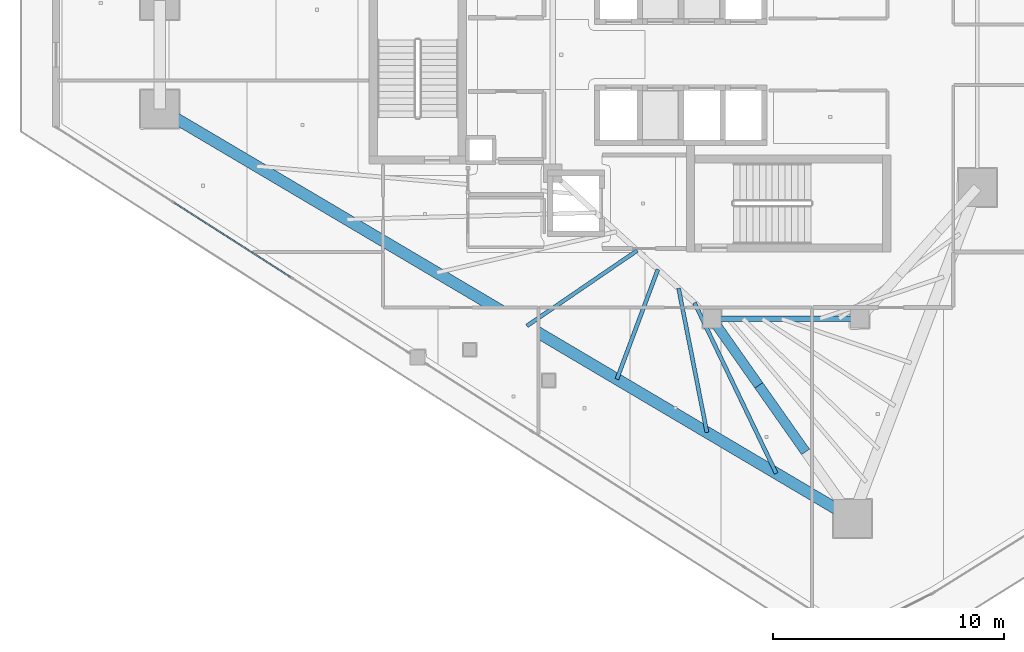
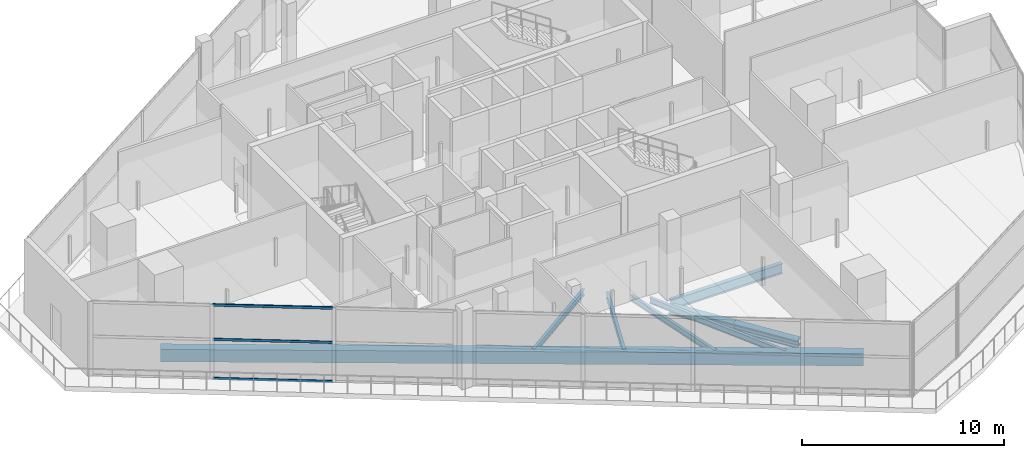
# One storey, part 4 of 36: 6 beams, 5 members, 1 element without a shape of its own.
"""IFC4 building model written with IfcOpenShell, lengths in metres."""

import ifcopenshell
import ifcopenshell.guid

model = None  # the IFC model being written
_history = None  # IfcOwnerHistory: only IFC2X3 demands one
_inside = {}  # id of a spatial element -> (the spatial element, [elements in it])
_under = {}  # id of a project, library or spatial element -> (it, [spatial elements below it])
_declared = {}  # id of a project -> (the project, [libraries it declares])
_typed = {}  # id of a type object -> (the type object, [elements of that type])
_made_of = {}  # id of a material, layer set ... -> (it, [elements and type objects made of it])


def new_model(schema):
    """Start an empty IFC model of exactly this schema.

    Asked for "IFC4X3", IfcOpenShell would pick the latest addendum, in which some entities
    have other attributes; the version numbers below select the first issue.
    IFC2X3 requires an IfcOwnerHistory on every rooted entity: one is made here for all.
    """
    global model, _history
    if schema == "IFC4X3":
        model = ifcopenshell.file(schema_version=(4, 3, 0, 0))
    else:
        model = ifcopenshell.file(schema=schema)
    _inside.clear()
    _under.clear()
    _declared.clear()
    _typed.clear()
    _made_of.clear()
    _history = None
    if model.schema == "IFC2X3":
        org = make("IfcOrganization", Name="unknown")
        user = make(
            "IfcPersonAndOrganization",
            ThePerson=make("IfcPerson", FamilyName="unknown"),
            TheOrganization=org,
        )
        app = make(
            "IfcApplication",
            ApplicationDeveloper=org,
            Version="unknown",
            ApplicationFullName="unknown",
            ApplicationIdentifier="unknown",
        )
        _history = make(
            "IfcOwnerHistory",
            OwningUser=user,
            OwningApplication=app,
            ChangeAction="ADDED",
            CreationDate=0,
        )
    return model


def make(cls, **values):
    """One entity of the class cls with the attributes given. An attribute that is None is left unset."""
    return model.create_entity(
        cls, **{name: value for name, value in values.items() if value is not None}
    )


def rooted(cls, **values):
    """An entity with a GlobalId (a new one), such as an element, a storey or a relation."""
    return make(cls, GlobalId=ifcopenshell.guid.new(), OwnerHistory=_history, **values)


def si_unit(unit_type, name, prefix=None):
    """IfcSIUnit, for example si_unit("LENGTHUNIT", "METRE", prefix="MILLI")."""
    return make("IfcSIUnit", UnitType=unit_type, Prefix=prefix, Name=name)


def assignment(units):
    """IfcUnitAssignment: the units of a project."""
    return None if units is None else make("IfcUnitAssignment", Units=units)


def point(xyz):
    """IfcCartesianPoint."""
    return None if xyz is None else make("IfcCartesianPoint", Coordinates=xyz)


def direction(xyz):
    """IfcDirection."""
    return None if xyz is None else make("IfcDirection", DirectionRatios=xyz)


def frame(location, z_axis=None, x_axis=None):
    """IfcAxis2Placement3D, a coordinate frame: its origin and axes. An axis left out is left unset."""
    return make(
        "IfcAxis2Placement3D",
        Location=point(location),
        Axis=direction(z_axis),
        RefDirection=direction(x_axis),
    )


def frame_2d(location, x_axis=None):
    """IfcAxis2Placement2D, a coordinate frame in the plane: its origin and x axis."""
    return make(
        "IfcAxis2Placement2D", Location=point(location), RefDirection=direction(x_axis)
    )


def origin():
    """The frame at (0, 0, 0) with its axes left unset."""
    return frame((0.0, 0.0, 0.0))


def origin_2d():
    """The frame at (0, 0) in the plane with its x axis left unset."""
    return frame_2d((0.0, 0.0))


def place(relative_to, where):
    """IfcLocalPlacement: puts the frame where relative to a parent placement (None: the world)."""
    return make(
        "IfcLocalPlacement", PlacementRelTo=relative_to, RelativePlacement=where
    )


def context(
    kind, dimensions, precision=None, world=None, true_north=None, identifier=None
):
    """IfcGeometricRepresentationContext, for example the 3D "Model" context."""
    return make(
        "IfcGeometricRepresentationContext",
        ContextIdentifier=identifier,
        ContextType=kind,
        CoordinateSpaceDimension=dimensions,
        Precision=precision,
        WorldCoordinateSystem=world,
        TrueNorth=true_north,
    )


def subcontext(parent, identifier, kind, view, scale=None):
    """IfcGeometricRepresentationSubContext, for example "Body" below "Model"."""
    return make(
        "IfcGeometricRepresentationSubContext",
        ContextIdentifier=identifier,
        ContextType=kind,
        ParentContext=parent,
        TargetScale=scale,
        TargetView=view,
    )


def project(units=None, contexts=None):
    """IfcProject with its units and contexts."""
    return rooted(
        "IfcProject",
        Name="project",
        RepresentationContexts=contexts,
        UnitsInContext=assignment(units),
    )


def spatial(cls, under=None, at=None, **own):
    """A site, building, storey or space (cls), placed at a placement, below another one or the project."""
    s = rooted(cls, ObjectPlacement=at, **own)
    if under is not None:
        _under.setdefault(under.id(), (under, []))[1].append(s)
    return s


def profile(cls, at=None, kind="AREA", **sizes):
    """A parametric profile (cls). Its sizes go by their IFC names, for example OverallWidth=200.0."""
    return make(cls, ProfileType=kind, Position=at, **sizes)


def rectangle(**sizes):
    """IfcRectangleProfileDef."""
    return profile("IfcRectangleProfileDef", **sizes)


def hollow_rectangle(**sizes):
    """IfcRectangleHollowProfileDef."""
    return profile("IfcRectangleHollowProfileDef", **sizes)


def i_section(**sizes):
    """IfcIShapeProfileDef."""
    return profile("IfcIShapeProfileDef", **sizes)


def extrude(swept, where, along, depth):
    """IfcExtrudedAreaSolid: the profile swept, set in the frame where, extruded along a direction by depth."""
    return make(
        "IfcExtrudedAreaSolid",
        SweptArea=swept,
        Position=where,
        ExtrudedDirection=direction(along),
        Depth=depth,
    )


def shape(context_of_items, identifier, shape_type, items):
    """IfcShapeRepresentation: the items that make up one representation, for example the "Body"."""
    return make(
        "IfcShapeRepresentation",
        ContextOfItems=context_of_items,
        RepresentationIdentifier=identifier,
        RepresentationType=shape_type,
        Items=items,
    )


def material(Name=None, Category=None):
    """IfcMaterial."""
    return make("IfcMaterial", Name=Name, Category=Category)


def layer(
    of_material, thickness, ventilated=None, Name=None, Category=None, Priority=None
):
    """IfcMaterialLayer: one layer of a wall or slab, of a material (None: an air gap)."""
    return make(
        "IfcMaterialLayer",
        Material=of_material,
        LayerThickness=thickness,
        IsVentilated=ventilated,
        Name=Name,
        Category=Category,
        Priority=Priority,
    )


def layer_set(layers, Name=None):
    """IfcMaterialLayerSet."""
    return make("IfcMaterialLayerSet", MaterialLayers=layers, LayerSetName=Name)


def material_profile(
    of_material, cross_section, Name=None, Category=None, Priority=None
):
    """IfcMaterialProfile: a cross section and its material."""
    return make(
        "IfcMaterialProfile",
        Name=Name,
        Material=of_material,
        Profile=cross_section,
        Priority=Priority,
        Category=Category,
    )


def profile_set(profiles, Name=None, composite=None):
    """IfcMaterialProfileSet."""
    return make(
        "IfcMaterialProfileSet",
        Name=Name,
        MaterialProfiles=profiles,
        CompositeProfile=composite,
    )


def made_of(thing, what):
    """Note that an element or type object is made of a material, layer set ...; save() writes the relation."""
    if what is not None:
        _made_of.setdefault(what.id(), (what, []))[1].append(thing)
    return thing


def type_object(cls, material=None, **own):
    """A type object (cls), such as IfcWallType, which elements share."""
    return made_of(rooted(cls, **own), material)


def element(
    cls,
    number,
    at=None,
    inside=None,
    cuts=None,
    type_object=None,
    material=None,
    context=None,
    identifier="Body",
    shape_type=None,
    held_by="IfcProductDefinitionShape",
    body=None,
    shapes=None,
    **own,
):
    """One element of the class cls, such as IfcWall. Its Tag is "e" and its number.

    at: its placement. inside: the storey or other place that contains it. cuts: it is an
    opening in that element (IfcRelVoidsElement). A single representation is given by context,
    identifier, shape_type and body (its items); several are given by shapes. held_by: the class
    of the entity that holds the representations. save() writes the other relations.
    """
    e = rooted(cls, Tag="e%d" % number, ObjectPlacement=at, **own)
    if body is not None:
        shapes = [shape(context, identifier, shape_type, body)]
    if shapes is not None:
        e.Representation = make(held_by, Representations=shapes)
    if inside is not None:
        _inside.setdefault(inside.id(), (inside, []))[1].append(e)
    if cuts is not None:
        rooted(
            "IfcRelVoidsElement", RelatingBuildingElement=cuts, RelatedOpeningElement=e
        )
    if type_object is not None:
        _typed.setdefault(type_object.id(), (type_object, []))[1].append(e)
    return made_of(e, material)


def aggregate(whole, parts):
    """IfcRelAggregates: a whole, such as a stair, and the parts it consists of."""
    return rooted("IfcRelAggregates", RelatingObject=whole, RelatedObjects=parts)


def save(model, path):
    """Write the relations noted so far, then the file.

    IfcRelAggregates (storeys below a building ...), IfcRelContainedInSpatialStructure (elements
    in a storey), IfcRelDefinesByType, IfcRelAssociatesMaterial and IfcRelDeclares: one each for
    every whole, place, type object, material and project.
    """
    for whole, parts in _under.values():
        aggregate(whole, parts)
    for where, things in _inside.values():
        rooted(
            "IfcRelContainedInSpatialStructure",
            RelatedElements=things,
            RelatingStructure=where,
        )
    for kind, things in _typed.values():
        rooted("IfcRelDefinesByType", RelatedObjects=things, RelatingType=kind)
    for what, things in _made_of.values():
        rooted("IfcRelAssociatesMaterial", RelatedObjects=things, RelatingMaterial=what)
    for by, libraries in _declared.values():
        rooted("IfcRelDeclares", RelatingContext=by, RelatedDefinitions=libraries)
    model.write(path)


model = new_model("IFC4")

# Units and contexts
model_context = context("Model", 3, precision=1e-05, world=origin(), true_north=direction((0.0, 1.0)))
body_context = subcontext(model_context, "Body", "Model", "MODEL_VIEW")
ifc_project = project(units=[si_unit("LENGTHUNIT", "METRE"), si_unit("AREAUNIT", "SQUARE_METRE"), si_unit("VOLUMEUNIT", "CUBIC_METRE"), si_unit("PLANEANGLEUNIT", "RADIAN"), si_unit("MASSUNIT", "GRAM", prefix="KILO")], contexts=[model_context])

# Site, building, storey
site_placement = place(None, origin())
site = spatial("IfcSite", under=ifc_project, at=site_placement, CompositionType="ELEMENT")
building_placement = place(site_placement, origin())
building = spatial("IfcBuilding", under=site, at=building_placement, Name="Qorvath Tower", CompositionType="ELEMENT")
storey_placement = place(building_placement, frame((0.0, 0.0, 255.0)))
storey = spatial("IfcBuildingStorey", under=building, at=storey_placement, Name="L59", CompositionType="ELEMENT", Elevation=255.0)

# Beams
ifc_material_1 = material(Name="Steel ASTM A992 Grade 50", Category="steel")
ifc_material_profile_1 = material_profile(ifc_material_1, i_section(OverallWidth=0.22998046875, OverallDepth=0.616943359375, WebThickness=0.01318359375, FlangeThickness=0.022216796875, FilletRadius=0.014892578125, at=origin_2d()), Name="W24x94")
ifc_profile_set_1 = profile_set([ifc_material_profile_1], Name="Steel ASTM A992 Grade 50")
beam_type_1 = type_object("IfcBeamType", Name="BM-FG6", PredefinedType="BEAM", material=ifc_profile_set_1)
beam_1_placement = place(storey_placement, frame((-17.199951171875, -11.449951171875, -0.6083984375), z_axis=(-1.0, 0.0, 0.0), x_axis=(0.0, -1.0, 0.0)))
element("IfcBeam", 1, at=beam_1_placement, inside=storey, type_object=beam_type_1, Name="Core Ring Girder CC3-CC4 L59", PredefinedType="BEAM", context=body_context, shape_type="SweptSolid", body=[
    extrude(i_section(OverallWidth=0.22998046875, OverallDepth=0.616943359375, WebThickness=0.01318359375, FlangeThickness=0.022216796875, FilletRadius=0.014892578125, at=origin_2d()), origin(), (0.0, 0.0, 1.0), 6.400146484375),
])
ifc_material_2 = material(Name="Steel ASTM A992 Grade 50", Category="steel")
ifc_material_profile_2 = material_profile(ifc_material_2, i_section(OverallWidth=0.1708984375, OverallDepth=0.35107421875, WebThickness=0.0068359375, FlangeThickness=0.009765625, FilletRadius=0.010009765625, at=origin_2d()), Name="W14x30")
ifc_profile_set_2 = profile_set([ifc_material_profile_2], Name="Steel ASTM A992 Grade 50")
beam_type_2 = type_object("IfcBeamType", Name="BM-FJ4", PredefinedType="JOIST", material=ifc_profile_set_2)
beam_2_placement = place(storey_placement, frame((-26.843017578125, -8.489013671875, -0.4755859375), z_axis=(-0.82557592702, -0.564291049658, 0.0), x_axis=(0.564291049658, -0.82557592702, 0.0)))
element("IfcBeam", 2, at=beam_2_placement, inside=storey, type_object=beam_type_2, Name="Composite Floor Joist SW4 L59", PredefinedType="JOIST", context=body_context, shape_type="SweptSolid", body=[
    extrude(i_section(OverallWidth=0.1708984375, OverallDepth=0.35107421875, WebThickness=0.0068359375, FlangeThickness=0.009765625, FilletRadius=0.010009765625, at=origin_2d()), origin(), (0.0, 0.0, 1.0), 5.793212890625),
])
beam_3_placement = place(storey_placement, frame((-25.946044921875, -9.30810546875, -0.4755859375), z_axis=(-0.349858795354, -0.936802446257, 0.0), x_axis=(0.936802446257, -0.349858795354, 0.0)))
element("IfcBeam", 3, at=beam_3_placement, inside=storey, type_object=beam_type_2, Name="Composite Floor Joist SW5 L59", PredefinedType="JOIST", context=body_context, shape_type="SweptSolid", body=[
    extrude(i_section(OverallWidth=0.1708984375, OverallDepth=0.35107421875, WebThickness=0.0068359375, FlangeThickness=0.009765625, FilletRadius=0.010009765625, at=origin_2d()), origin(), (0.0, 0.0, 1.0), 5.078857421875),
])
beam_4_placement = place(storey_placement, frame((-25.049072265625, -10.126953125, -0.4755859375), z_axis=(0.193040016911, -0.981190884523, 0.0), x_axis=(0.981190884523, 0.193040016911, 0.0)))
element("IfcBeam", 4, at=beam_4_placement, inside=storey, type_object=beam_type_2, Name="Composite Floor Joist SW6 L59", PredefinedType="JOIST", context=body_context, shape_type="SweptSolid", body=[
    extrude(i_section(OverallWidth=0.1708984375, OverallDepth=0.35107421875, WebThickness=0.0068359375, FlangeThickness=0.009765625, FilletRadius=0.010009765625, at=origin_2d()), origin(), (0.0, 0.0, 1.0), 6.366455078125),
])
beam_5_placement = place(storey_placement, frame((-24.35888671875, -10.757080078125, -0.4755859375), z_axis=(0.432029839602, -0.901859311475, 0.0), x_axis=(0.901859311475, 0.432029839602, 0.0)))
element("IfcBeam", 5, at=beam_5_placement, inside=storey, type_object=beam_type_2, Name="Composite Floor Joist SW7 L59", PredefinedType="JOIST", context=body_context, shape_type="SweptSolid", body=[
    extrude(i_section(OverallWidth=0.1708984375, OverallDepth=0.35107421875, WebThickness=0.0068359375, FlangeThickness=0.009765625, FilletRadius=0.010009765625, at=origin_2d()), origin(), (0.0, 0.0, 1.0), 8.1962890625),
])
ifc_material_3 = material(Name="Concrete C45/55", Category="concrete")
ifc_material_profile_3 = material_profile(ifc_material_3, rectangle(XDim=0.5, YDim=0.75, at=origin_2d()), Name="RCB 750x500")
ifc_profile_set_3 = profile_set([ifc_material_profile_3], Name="Concrete C45/55")
beam_type_3 = type_object("IfcBeamType", Name="BM-RCB3", PredefinedType="SPANDREL", material=ifc_profile_set_3)
beam_6_placement = place(storey_placement, frame((-47.53759765625, -2.349609375, -0.675048828125), z_axis=(0.860781425392, -0.50897479083, 0.0), x_axis=(0.50897479083, 0.860781425392, 0.0)))
element("IfcBeam", 6, at=beam_6_placement, inside=storey, type_object=beam_type_3, Name="Perimeter Loggia Frame Beam MC2-MC3 L59", PredefinedType="SPANDREL", context=body_context, shape_type="SweptSolid", body=[
    extrude(rectangle(XDim=0.5, YDim=0.75, at=origin_2d()), origin(), (0.0, 0.0, 1.0), 34.8779296875),
])

# Curtain wall, members
ifc_material_4 = material(Name="Anodised aluminium and triple low-E glass", Category="aluminium")
ifc_layer = layer(ifc_material_4, 0.179931640625)
ifc_layer_set = layer_set([ifc_layer], Name="CW-SYS-5")
curtain_wall_type = type_object("IfcCurtainWallType", Name="CW-SYS-5", PredefinedType="NOTDEFINED", material=ifc_layer_set)
curtain_wall_placement = place(storey_placement, origin())
curtain_wall = element("IfcCurtainWall", 7, at=curtain_wall_placement, inside=storey, type_object=curtain_wall_type, Name="Curtain Wall CW-5 CW-T-L59-2.1", PredefinedType="NOTDEFINED")
ifc_material_5 = material(Name="Anodised aluminium 6063-T6", Category="aluminium")
ifc_material_profile_4 = material_profile(ifc_material_5, hollow_rectangle(XDim=0.06494140625, YDim=0.159912109375, WallThickness=0.00341796875, InnerFilletRadius=0.00341796875, OuterFilletRadius=0.007080078125, at=origin_2d()), Name="CWT 160x65")
ifc_profile_set_4 = profile_set([ifc_material_profile_4], Name="Anodised aluminium 6063-T6")
member_type_1 = type_object("IfcMemberType", Name="CWT-160", PredefinedType="USERDEFINED", material=ifc_profile_set_4)
member_1_placement = place(storey_placement, frame((-46.904052734375, -6.42236328125, 0.032470703125), z_axis=(0.842607210603, -0.538528633074, 0.0), x_axis=(0.538528633074, 0.842607210603, 0.0)))
member_1 = element("IfcMember", 8, at=member_1_placement, type_object=member_type_1, Name="CW-5 transom 2.1", ObjectType="TRANSOM", PredefinedType="USERDEFINED", context=body_context, shape_type="SweptSolid", body=[
    extrude(hollow_rectangle(XDim=0.06494140625, YDim=0.159912109375, WallThickness=0.00341796875, InnerFilletRadius=0.00341796875, OuterFilletRadius=0.007080078125, at=origin_2d()), origin(), (0.0, 0.0, 1.0), 5.978271484375),
])
member_2_placement = place(storey_placement, frame((-46.904052734375, -6.42236328125, 2.39990234375), z_axis=(0.842607210603, -0.538528633074, 0.0), x_axis=(0.538528633074, 0.842607210603, 0.0)))
member_2 = element("IfcMember", 9, at=member_2_placement, type_object=member_type_1, Name="CW-5 transom 2.2", ObjectType="TRANSOM", PredefinedType="USERDEFINED", context=body_context, shape_type="SweptSolid", body=[
    extrude(hollow_rectangle(XDim=0.06494140625, YDim=0.159912109375, WallThickness=0.00341796875, InnerFilletRadius=0.00341796875, OuterFilletRadius=0.007080078125, at=origin_2d()), origin(), (0.0, 0.0, 1.0), 5.978271484375),
])
member_3_placement = place(storey_placement, frame((-46.904052734375, -6.42236328125, 4.4775390625), z_axis=(0.842607210603, -0.538528633074, 0.0), x_axis=(0.538528633074, 0.842607210603, 0.0)))
member_3 = element("IfcMember", 10, at=member_3_placement, type_object=member_type_1, Name="CW-5 transom 2.3", ObjectType="TRANSOM", PredefinedType="USERDEFINED", context=body_context, shape_type="SweptSolid", body=[
    extrude(hollow_rectangle(XDim=0.06494140625, YDim=0.159912109375, WallThickness=0.00341796875, InnerFilletRadius=0.00341796875, OuterFilletRadius=0.007080078125, at=origin_2d()), origin(), (0.0, 0.0, 1.0), 5.978271484375),
])
aggregate(curtain_wall, [member_1, member_2, member_3])

# Members
ifc_material_6 = material(Name="Steel ASTM A913 Grade 65", Category="steel")
ifc_material_profile_5 = material_profile(ifc_material_6, i_section(OverallWidth=0.4189453125, OverallDepth=0.455078125, WebThickness=0.0419921875, FlangeThickness=0.067626953125, FilletRadius=0.02490234375, at=origin_2d()), Name="W14x370")
ifc_profile_set_5 = profile_set([ifc_material_profile_5], Name="Steel ASTM A913 Grade 65")
member_type_2 = type_object("IfcMemberType", Name="MEM-OT2", PredefinedType="CHORD", material=ifc_profile_set_5)
member_4_placement = place(storey_placement, frame((-23.60009765625, -11.449951171875, -0.85009765625), z_axis=(0.575268694935, -0.817964503281, 0.0), x_axis=(0.817964503281, 0.575268694935, 0.0)))
element("IfcMember", 11, at=member_4_placement, inside=storey, type_object=member_type_2, Name="Outrigger and Belt Truss Top Chord OB3-4.1", PredefinedType="CHORD", context=body_context, shape_type="SweptSolid", body=[
    extrude(i_section(OverallWidth=0.4189453125, OverallDepth=0.455078125, WebThickness=0.0419921875, FlangeThickness=0.067626953125, FilletRadius=0.02490234375, at=origin_2d()), origin(), (0.0, 0.0, 1.0), 3.52587890625),
])
member_5_placement = place(storey_placement, frame((-21.57177734375, -14.333984375, -0.85009765625), z_axis=(0.575254947697, -0.817974171445, 0.0), x_axis=(0.817974171445, 0.575254947697, 0.0)))
element("IfcMember", 12, at=member_5_placement, inside=storey, type_object=member_type_2, Name="Outrigger and Belt Truss Top Chord OB3-4.2", PredefinedType="CHORD", context=body_context, shape_type="SweptSolid", body=[
    extrude(i_section(OverallWidth=0.4189453125, OverallDepth=0.455078125, WebThickness=0.0419921875, FlangeThickness=0.067626953125, FilletRadius=0.02490234375, at=origin_2d()), origin(), (0.0, 0.0, 1.0), 3.525634765625),
])

save(model, "model.ifc")
